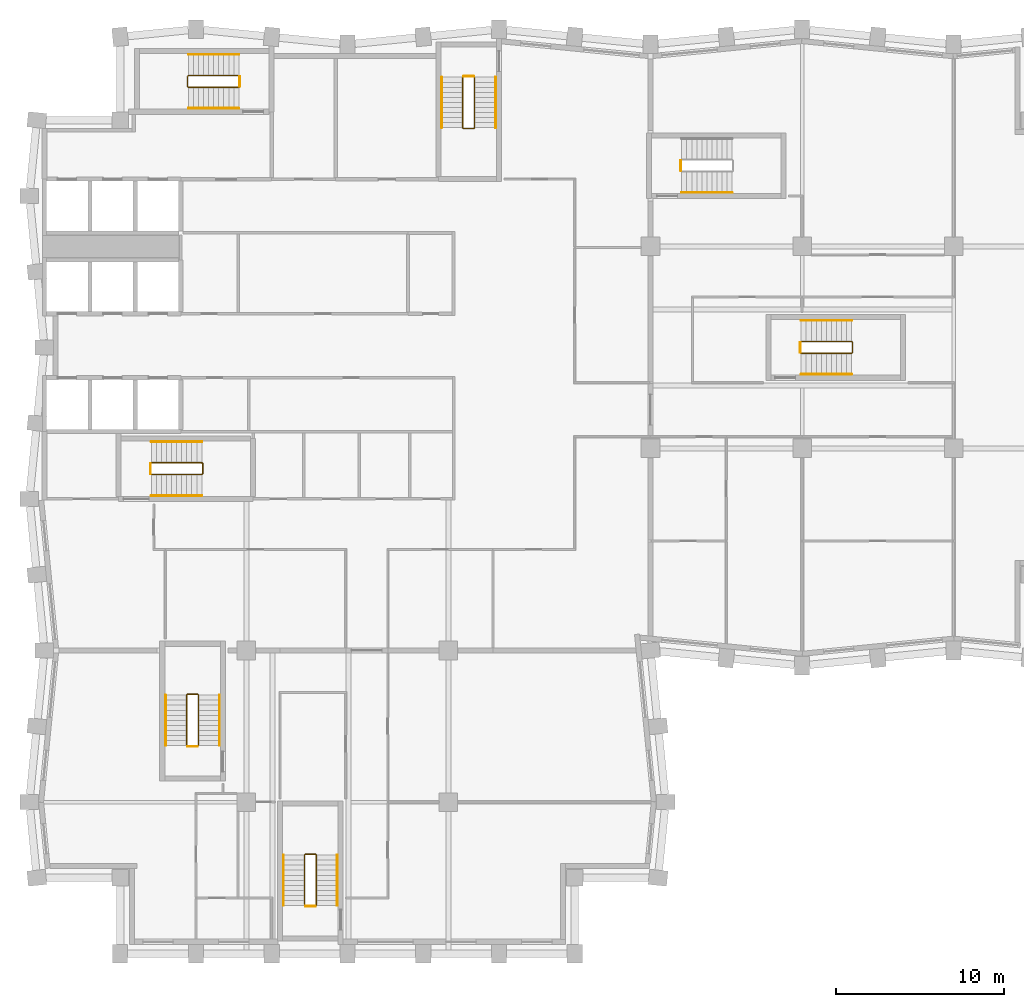
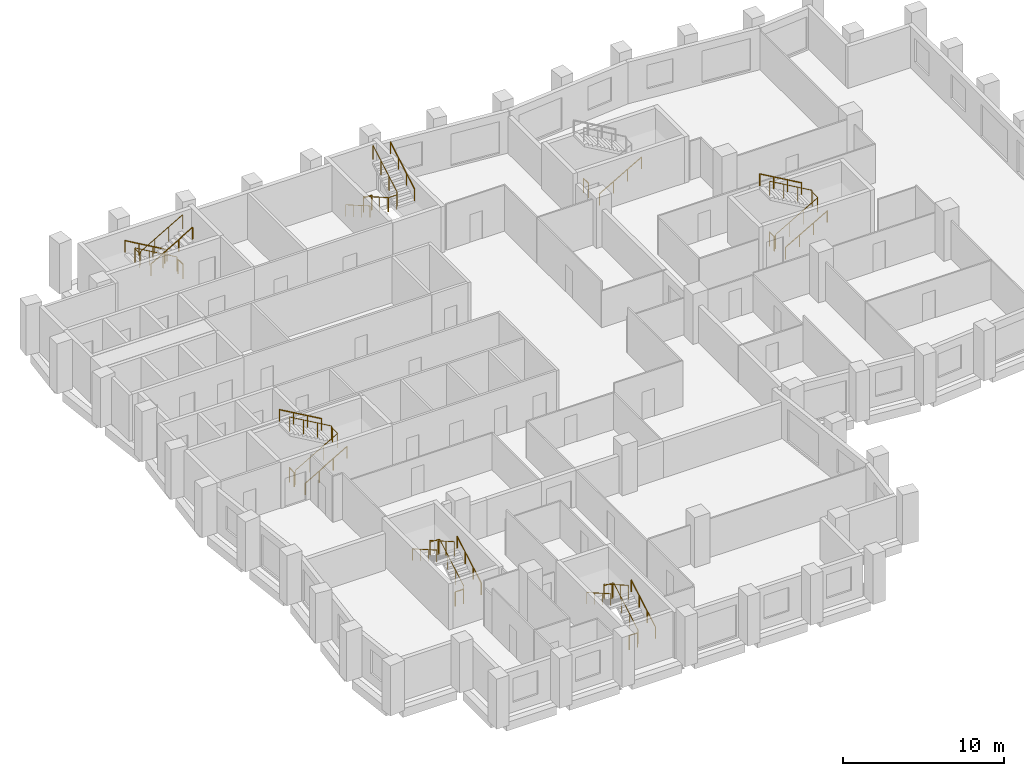
# One storey, part 9 of 10: 26 railings.
"""IFC4 building model written with IfcOpenShell, lengths in metres."""

import ifcopenshell
import ifcopenshell.guid

model = None  # the IFC model being written
_history = None  # IfcOwnerHistory: only IFC2X3 demands one
_inside = {}  # id of a spatial element -> (the spatial element, [elements in it])
_under = {}  # id of a project, library or spatial element -> (it, [spatial elements below it])
_declared = {}  # id of a project -> (the project, [libraries it declares])
_typed = {}  # id of a type object -> (the type object, [elements of that type])
_made_of = {}  # id of a material, layer set ... -> (it, [elements and type objects made of it])


def new_model(schema):
    """Start an empty IFC model of exactly this schema.

    Asked for "IFC4X3", IfcOpenShell would pick the latest addendum, in which some entities
    have other attributes; the version numbers below select the first issue.
    IFC2X3 requires an IfcOwnerHistory on every rooted entity: one is made here for all.
    """
    global model, _history
    if schema == "IFC4X3":
        model = ifcopenshell.file(schema_version=(4, 3, 0, 0))
    else:
        model = ifcopenshell.file(schema=schema)
    _inside.clear()
    _under.clear()
    _declared.clear()
    _typed.clear()
    _made_of.clear()
    _history = None
    if model.schema == "IFC2X3":
        org = make("IfcOrganization", Name="unknown")
        user = make(
            "IfcPersonAndOrganization",
            ThePerson=make("IfcPerson", FamilyName="unknown"),
            TheOrganization=org,
        )
        app = make(
            "IfcApplication",
            ApplicationDeveloper=org,
            Version="unknown",
            ApplicationFullName="unknown",
            ApplicationIdentifier="unknown",
        )
        _history = make(
            "IfcOwnerHistory",
            OwningUser=user,
            OwningApplication=app,
            ChangeAction="ADDED",
            CreationDate=0,
        )
    return model


def make(cls, **values):
    """One entity of the class cls with the attributes given. An attribute that is None is left unset."""
    return model.create_entity(
        cls, **{name: value for name, value in values.items() if value is not None}
    )


def rooted(cls, **values):
    """An entity with a GlobalId (a new one), such as an element, a storey or a relation."""
    return make(cls, GlobalId=ifcopenshell.guid.new(), OwnerHistory=_history, **values)


def si_unit(unit_type, name, prefix=None):
    """IfcSIUnit, for example si_unit("LENGTHUNIT", "METRE", prefix="MILLI")."""
    return make("IfcSIUnit", UnitType=unit_type, Prefix=prefix, Name=name)


def assignment(units):
    """IfcUnitAssignment: the units of a project."""
    return None if units is None else make("IfcUnitAssignment", Units=units)


def point(xyz):
    """IfcCartesianPoint."""
    return None if xyz is None else make("IfcCartesianPoint", Coordinates=xyz)


def direction(xyz):
    """IfcDirection."""
    return None if xyz is None else make("IfcDirection", DirectionRatios=xyz)


def frame(location, z_axis=None, x_axis=None):
    """IfcAxis2Placement3D, a coordinate frame: its origin and axes. An axis left out is left unset."""
    return make(
        "IfcAxis2Placement3D",
        Location=point(location),
        Axis=direction(z_axis),
        RefDirection=direction(x_axis),
    )


def frame_2d(location, x_axis=None):
    """IfcAxis2Placement2D, a coordinate frame in the plane: its origin and x axis."""
    return make(
        "IfcAxis2Placement2D", Location=point(location), RefDirection=direction(x_axis)
    )


def origin():
    """The frame at (0, 0, 0) with its axes left unset."""
    return frame((0.0, 0.0, 0.0))


def origin_2d():
    """The frame at (0, 0) in the plane with its x axis left unset."""
    return frame_2d((0.0, 0.0))


def place(relative_to, where):
    """IfcLocalPlacement: puts the frame where relative to a parent placement (None: the world)."""
    return make(
        "IfcLocalPlacement", PlacementRelTo=relative_to, RelativePlacement=where
    )


def context(
    kind, dimensions, precision=None, world=None, true_north=None, identifier=None
):
    """IfcGeometricRepresentationContext, for example the 3D "Model" context."""
    return make(
        "IfcGeometricRepresentationContext",
        ContextIdentifier=identifier,
        ContextType=kind,
        CoordinateSpaceDimension=dimensions,
        Precision=precision,
        WorldCoordinateSystem=world,
        TrueNorth=true_north,
    )


def subcontext(parent, identifier, kind, view, scale=None):
    """IfcGeometricRepresentationSubContext, for example "Body" below "Model"."""
    return make(
        "IfcGeometricRepresentationSubContext",
        ContextIdentifier=identifier,
        ContextType=kind,
        ParentContext=parent,
        TargetScale=scale,
        TargetView=view,
    )


def project(units=None, contexts=None):
    """IfcProject with its units and contexts."""
    return rooted(
        "IfcProject",
        Name="project",
        RepresentationContexts=contexts,
        UnitsInContext=assignment(units),
    )


def spatial(cls, under=None, at=None, **own):
    """A site, building, storey or space (cls), placed at a placement, below another one or the project."""
    s = rooted(cls, ObjectPlacement=at, **own)
    if under is not None:
        _under.setdefault(under.id(), (under, []))[1].append(s)
    return s


def profile(cls, at=None, kind="AREA", **sizes):
    """A parametric profile (cls). Its sizes go by their IFC names, for example OverallWidth=200.0."""
    return make(cls, ProfileType=kind, Position=at, **sizes)


def circle(**sizes):
    """IfcCircleProfileDef."""
    return profile("IfcCircleProfileDef", **sizes)


def extrude(swept, where, along, depth):
    """IfcExtrudedAreaSolid: the profile swept, set in the frame where, extruded along a direction by depth."""
    return make(
        "IfcExtrudedAreaSolid",
        SweptArea=swept,
        Position=where,
        ExtrudedDirection=direction(along),
        Depth=depth,
    )


def shape(context_of_items, identifier, shape_type, items):
    """IfcShapeRepresentation: the items that make up one representation, for example the "Body"."""
    return make(
        "IfcShapeRepresentation",
        ContextOfItems=context_of_items,
        RepresentationIdentifier=identifier,
        RepresentationType=shape_type,
        Items=items,
    )


def material(Name=None, Category=None):
    """IfcMaterial."""
    return make("IfcMaterial", Name=Name, Category=Category)


def made_of(thing, what):
    """Note that an element or type object is made of a material, layer set ...; save() writes the relation."""
    if what is not None:
        _made_of.setdefault(what.id(), (what, []))[1].append(thing)
    return thing


def type_object(cls, material=None, **own):
    """A type object (cls), such as IfcWallType, which elements share."""
    return made_of(rooted(cls, **own), material)


def element(
    cls,
    number,
    at=None,
    inside=None,
    cuts=None,
    type_object=None,
    material=None,
    context=None,
    identifier="Body",
    shape_type=None,
    held_by="IfcProductDefinitionShape",
    body=None,
    shapes=None,
    **own,
):
    """One element of the class cls, such as IfcWall. Its Tag is "e" and its number.

    at: its placement. inside: the storey or other place that contains it. cuts: it is an
    opening in that element (IfcRelVoidsElement). A single representation is given by context,
    identifier, shape_type and body (its items); several are given by shapes. held_by: the class
    of the entity that holds the representations. save() writes the other relations.
    """
    e = rooted(cls, Tag="e%d" % number, ObjectPlacement=at, **own)
    if body is not None:
        shapes = [shape(context, identifier, shape_type, body)]
    if shapes is not None:
        e.Representation = make(held_by, Representations=shapes)
    if inside is not None:
        _inside.setdefault(inside.id(), (inside, []))[1].append(e)
    if cuts is not None:
        rooted(
            "IfcRelVoidsElement", RelatingBuildingElement=cuts, RelatedOpeningElement=e
        )
    if type_object is not None:
        _typed.setdefault(type_object.id(), (type_object, []))[1].append(e)
    return made_of(e, material)


def aggregate(whole, parts):
    """IfcRelAggregates: a whole, such as a stair, and the parts it consists of."""
    return rooted("IfcRelAggregates", RelatingObject=whole, RelatedObjects=parts)


def save(model, path):
    """Write the relations noted so far, then the file.

    IfcRelAggregates (storeys below a building ...), IfcRelContainedInSpatialStructure (elements
    in a storey), IfcRelDefinesByType, IfcRelAssociatesMaterial and IfcRelDeclares: one each for
    every whole, place, type object, material and project.
    """
    for whole, parts in _under.values():
        aggregate(whole, parts)
    for where, things in _inside.values():
        rooted(
            "IfcRelContainedInSpatialStructure",
            RelatedElements=things,
            RelatingStructure=where,
        )
    for kind, things in _typed.values():
        rooted("IfcRelDefinesByType", RelatedObjects=things, RelatingType=kind)
    for what, things in _made_of.values():
        rooted("IfcRelAssociatesMaterial", RelatedObjects=things, RelatingMaterial=what)
    for by, libraries in _declared.values():
        rooted("IfcRelDeclares", RelatingContext=by, RelatedDefinitions=libraries)
    model.write(path)


model = new_model("IFC4")

# Units and contexts
model_context = context("Model", 3, precision=1e-05, world=origin(), true_north=direction((0.0, 1.0)))
body_context = subcontext(model_context, "Body", "Model", "MODEL_VIEW")
ifc_project = project(units=[si_unit("LENGTHUNIT", "METRE"), si_unit("AREAUNIT", "SQUARE_METRE"), si_unit("VOLUMEUNIT", "CUBIC_METRE"), si_unit("PLANEANGLEUNIT", "RADIAN"), si_unit("MASSUNIT", "GRAM", prefix="KILO")], contexts=[model_context])

# Site, building, storey
site_placement = place(None, origin())
site = spatial("IfcSite", under=ifc_project, at=site_placement, CompositionType="ELEMENT")
building_placement = place(site_placement, origin())
building = spatial("IfcBuilding", under=site, at=building_placement, Name="Brondeck Convention Tower", CompositionType="ELEMENT")
storey_placement = place(building_placement, frame((0.0, 0.0, 166.199951171875)))
storey = spatial("IfcBuildingStorey", under=building, at=storey_placement, Name="L40", CompositionType="ELEMENT", Elevation=166.199951171875)

# Railings
ifc_material = material(Name="Steel S355", Category="steel")
railing_type_1 = type_object("IfcRailingType", Name="Stair guard 1100", PredefinedType="GUARDRAIL", material=ifc_material)
railing_1_placement = place(storey_placement, frame((6.35009765625, 37.449951171875, 0.1728515625)))
element("IfcRailing", 1, at=railing_1_placement, inside=storey, type_object=railing_type_1, Name="L40 ST-1 stair guard 1", PredefinedType="GUARDRAIL", context=body_context, shape_type="SweptSolid", body=[
    extrude(circle(Radius=0.02392578125, at=origin_2d()), frame((0.0, 0.0, 1.076171875), z_axis=(0.866619684472, 0.0, 0.498969260062), x_axis=(0.0, 1.0, 0.0)), (0.0, 0.0, 1.0), 3.461669921875),
    extrude(circle(Radius=0.02392578125, at=origin_2d()), frame((3.0, 0.0, 2.80322265625), z_axis=(0.705375805398, 0.708833529934, 0.0), x_axis=(-0.708833529934, 0.705375805398, 0.0)), (0.0, 0.0, 1.0), 0.070556640625),
    extrude(circle(Radius=0.02392578125, at=origin_2d()), frame((3.0498046875, 0.050048828125, 2.80322265625), z_axis=(0.0, 1.0, 0.0), x_axis=(-1.0, 0.0, 0.0)), (0.0, 0.0, 1.0), 0.60009765625),
    extrude(circle(Radius=0.02392578125, at=origin_2d()), frame((3.0498046875, 0.650146484375, 2.80322265625), z_axis=(-0.26715648603, 0.26715648603, 0.925880566782), x_axis=(-0.707106781187, -0.707106781187, 0.0)), (0.0, 0.0, 1.0), 0.1865234375),
    extrude(circle(Radius=0.02392578125, at=origin_2d()), frame((3.0, 0.699951171875, 2.97607421875), z_axis=(-0.866619684472, 0.0, 0.498969260062), x_axis=(0.0, -1.0, 0.0)), (0.0, 0.0, 1.0), 3.461669921875),
    extrude(circle(Radius=0.02099609375, at=origin_2d()), origin(), (0.0, 0.0, 1.0), 1.052001953125),
    extrude(circle(Radius=0.02099609375, at=origin_2d()), frame((1.0, 0.0, 0.57568359375)), (0.0, 0.0, 1.0), 1.052001953125),
    extrude(circle(Radius=0.02099609375, at=origin_2d()), frame((2.0, 0.0, 1.151611328125)), (0.0, 0.0, 1.0), 1.052001953125),
    extrude(circle(Radius=0.02099609375, at=origin_2d()), frame((3.0, 0.0, 1.727294921875)), (0.0, 0.0, 1.0), 1.052001953125),
    extrude(circle(Radius=0.02099609375, at=origin_2d()), frame((3.0498046875, 0.050048828125, 1.727294921875)), (0.0, 0.0, 1.0), 1.052001953125),
    extrude(circle(Radius=0.02099609375, at=origin_2d()), frame((3.0498046875, 0.650146484375, 1.727294921875)), (0.0, 0.0, 1.0), 1.052001953125),
    extrude(circle(Radius=0.02099609375, at=origin_2d()), frame((3.0, 0.699951171875, 1.89990234375)), (0.0, 0.0, 1.0), 1.052001953125),
    extrude(circle(Radius=0.02099609375, at=origin_2d()), frame((2.0, 0.699951171875, 2.4755859375)), (0.0, 0.0, 1.0), 1.052001953125),
    extrude(circle(Radius=0.02099609375, at=origin_2d()), frame((1.0, 0.699951171875, 3.051513671875)), (0.0, 0.0, 1.0), 1.052001953125),
    extrude(circle(Radius=0.02099609375, at=origin_2d()), frame((0.0, 0.699951171875, 3.627197265625)), (0.0, 0.0, 1.0), 1.052001953125),
])
railing_2_placement = place(storey_placement, frame((6.300048828125, 37.5, 0.0)))
element("IfcRailing", 2, at=railing_2_placement, inside=storey, type_object=railing_type_1, Name="L40 ST-1 stair guard 2", PredefinedType="GUARDRAIL", context=body_context, shape_type="SweptSolid", body=[
    extrude(circle(Radius=0.02392578125, at=origin_2d()), frame((0.0, 0.0, 1.076171875), z_axis=(0.0, 1.0, 0.0), x_axis=(-1.0, 0.0, 0.0)), (0.0, 0.0, 1.0), 0.60009765625),
    extrude(circle(Radius=0.02099609375, at=origin_2d()), origin(), (0.0, 0.0, 1.0), 1.052001953125),
    extrude(circle(Radius=0.02099609375, at=origin_2d()), frame((0.0, 0.60009765625, 0.0)), (0.0, 0.0, 1.0), 1.052001953125),
])
railing_3_placement = place(storey_placement, frame((24.85009765625, 61.050048828125, 0.1728515625)))
element("IfcRailing", 3, at=railing_3_placement, inside=storey, type_object=railing_type_1, Name="L40 ST-2 stair guard 1", PredefinedType="GUARDRAIL", context=body_context, shape_type="SweptSolid", body=[
    extrude(circle(Radius=0.02392578125, at=origin_2d()), frame((0.0, 0.0, 1.076171875), z_axis=(0.0, -0.866619684472, 0.498969260062), x_axis=(1.0, 0.0, 0.0)), (0.0, 0.0, 1.0), 3.461669921875),
    extrude(circle(Radius=0.02392578125, at=origin_2d()), frame((0.0, -3.0, 2.80322265625), z_axis=(0.705375805398, -0.708833529934, 0.0), x_axis=(0.708833529934, 0.705375805398, 0.0)), (0.0, 0.0, 1.0), 0.070556640625),
    extrude(circle(Radius=0.02392578125, at=origin_2d()), frame((0.0498046875, -3.050048828125, 2.80322265625), z_axis=(1.0, 0.0, 0.0), x_axis=(0.0, 1.0, 0.0)), (0.0, 0.0, 1.0), 0.60009765625),
    extrude(circle(Radius=0.02392578125, at=origin_2d()), frame((0.64990234375, -3.050048828125, 2.80322265625), z_axis=(0.268277960024, 0.268277960024, 0.925231793839), x_axis=(-0.707106781187, 0.707106781187, 0.0)), (0.0, 0.0, 1.0), 0.1865234375),
    extrude(circle(Radius=0.02392578125, at=origin_2d()), frame((0.699951171875, -3.0, 2.97607421875), z_axis=(0.0, 0.866619684472, 0.498969260062), x_axis=(-1.0, 0.0, 0.0)), (0.0, 0.0, 1.0), 3.461669921875),
    extrude(circle(Radius=0.02099609375, at=origin_2d()), origin(), (0.0, 0.0, 1.0), 1.052001953125),
    extrude(circle(Radius=0.02099609375, at=origin_2d()), frame((0.0, -1.0, 0.57568359375)), (0.0, 0.0, 1.0), 1.052001953125),
    extrude(circle(Radius=0.02099609375, at=origin_2d()), frame((0.0, -2.0, 1.151611328125)), (0.0, 0.0, 1.0), 1.052001953125),
    extrude(circle(Radius=0.02099609375, at=origin_2d()), frame((0.0, -3.0, 1.727294921875)), (0.0, 0.0, 1.0), 1.052001953125),
    extrude(circle(Radius=0.02099609375, at=origin_2d()), frame((0.0498046875, -3.050048828125, 1.727294921875)), (0.0, 0.0, 1.0), 1.052001953125),
    extrude(circle(Radius=0.02099609375, at=origin_2d()), frame((0.64990234375, -3.050048828125, 1.727294921875)), (0.0, 0.0, 1.0), 1.052001953125),
    extrude(circle(Radius=0.02099609375, at=origin_2d()), frame((0.699951171875, -3.0, 1.89990234375)), (0.0, 0.0, 1.0), 1.052001953125),
    extrude(circle(Radius=0.02099609375, at=origin_2d()), frame((0.699951171875, -2.0, 2.4755859375)), (0.0, 0.0, 1.0), 1.052001953125),
    extrude(circle(Radius=0.02099609375, at=origin_2d()), frame((0.699951171875, -1.0, 3.051513671875)), (0.0, 0.0, 1.0), 1.052001953125),
    extrude(circle(Radius=0.02099609375, at=origin_2d()), frame((0.699951171875, 0.0, 3.627197265625)), (0.0, 0.0, 1.0), 1.052001953125),
])
railing_4_placement = place(storey_placement, frame((24.89990234375, 61.10009765625, 0.0)))
element("IfcRailing", 4, at=railing_4_placement, inside=storey, type_object=railing_type_1, Name="L40 ST-2 stair guard 2", PredefinedType="GUARDRAIL", context=body_context, shape_type="SweptSolid", body=[
    extrude(circle(Radius=0.02392578125, at=origin_2d()), frame((0.0, 0.0, 1.076171875), z_axis=(1.0, 0.0, 0.0), x_axis=(0.0, 1.0, 0.0)), (0.0, 0.0, 1.0), 0.60009765625),
    extrude(circle(Radius=0.02099609375, at=origin_2d()), origin(), (0.0, 0.0, 1.0), 1.052001953125),
    extrude(circle(Radius=0.02099609375, at=origin_2d()), frame((0.60009765625, 0.0, 0.0)), (0.0, 0.0, 1.0), 1.052001953125),
])
railing_5_placement = place(storey_placement, frame((11.550048828125, 61.14990234375, 0.1728515625)))
element("IfcRailing", 5, at=railing_5_placement, inside=storey, type_object=railing_type_1, Name="L40 ST-3 stair guard 1", PredefinedType="GUARDRAIL", context=body_context, shape_type="SweptSolid", body=[
    extrude(circle(Radius=0.02392578125, at=origin_2d()), frame((0.0, 0.0, 1.076171875), z_axis=(-0.866619684472, 0.0, 0.498969260062), x_axis=(0.0, -1.0, 0.0)), (0.0, 0.0, 1.0), 3.461669921875),
    extrude(circle(Radius=0.02392578125, at=origin_2d()), frame((-3.0, 0.0, 2.80322265625), z_axis=(-0.708833529934, -0.705375805398, 0.0), x_axis=(0.705375805398, -0.708833529934, 0.0)), (0.0, 0.0, 1.0), 0.070556640625),
    extrude(circle(Radius=0.02392578125, at=origin_2d()), frame((-3.050048828125, -0.0498046875, 2.80322265625), z_axis=(0.0, -1.0, 0.0), x_axis=(1.0, 0.0, 0.0)), (0.0, 0.0, 1.0), 0.60009765625),
    extrude(circle(Radius=0.02392578125, at=origin_2d()), frame((-3.050048828125, -0.64990234375, 2.80322265625), z_axis=(0.268277960024, -0.268277960024, 0.925231793839), x_axis=(0.707106781187, 0.707106781187, 0.0)), (0.0, 0.0, 1.0), 0.1865234375),
    extrude(circle(Radius=0.02392578125, at=origin_2d()), frame((-3.0, -0.699951171875, 2.97607421875), z_axis=(0.866619684472, 0.0, 0.498969260062), x_axis=(0.0, 1.0, 0.0)), (0.0, 0.0, 1.0), 3.461669921875),
    extrude(circle(Radius=0.02099609375, at=origin_2d()), origin(), (0.0, 0.0, 1.0), 1.052001953125),
    extrude(circle(Radius=0.02099609375, at=origin_2d()), frame((-1.0, 0.0, 0.57568359375)), (0.0, 0.0, 1.0), 1.052001953125),
    extrude(circle(Radius=0.02099609375, at=origin_2d()), frame((-2.0, 0.0, 1.151611328125)), (0.0, 0.0, 1.0), 1.052001953125),
    extrude(circle(Radius=0.02099609375, at=origin_2d()), frame((-3.0, 0.0, 1.727294921875)), (0.0, 0.0, 1.0), 1.052001953125),
    extrude(circle(Radius=0.02099609375, at=origin_2d()), frame((-3.050048828125, -0.0498046875, 1.727294921875)), (0.0, 0.0, 1.0), 1.052001953125),
    extrude(circle(Radius=0.02099609375, at=origin_2d()), frame((-3.050048828125, -0.64990234375, 1.727294921875)), (0.0, 0.0, 1.0), 1.052001953125),
    extrude(circle(Radius=0.02099609375, at=origin_2d()), frame((-3.0, -0.699951171875, 1.89990234375)), (0.0, 0.0, 1.0), 1.052001953125),
    extrude(circle(Radius=0.02099609375, at=origin_2d()), frame((-2.0, -0.699951171875, 2.4755859375)), (0.0, 0.0, 1.0), 1.052001953125),
    extrude(circle(Radius=0.02099609375, at=origin_2d()), frame((-1.0, -0.699951171875, 3.051513671875)), (0.0, 0.0, 1.0), 1.052001953125),
    extrude(circle(Radius=0.02099609375, at=origin_2d()), frame((0.0, -0.699951171875, 3.627197265625)), (0.0, 0.0, 1.0), 1.052001953125),
])
railing_6_placement = place(storey_placement, frame((11.60009765625, 61.10009765625, 0.0)))
element("IfcRailing", 6, at=railing_6_placement, inside=storey, type_object=railing_type_1, Name="L40 ST-3 stair guard 2", PredefinedType="GUARDRAIL", context=body_context, shape_type="SweptSolid", body=[
    extrude(circle(Radius=0.02392578125, at=origin_2d()), frame((0.0, 0.0, 1.076171875), z_axis=(0.0, -1.0, 0.0), x_axis=(1.0, 0.0, 0.0)), (0.0, 0.0, 1.0), 0.60009765625),
    extrude(circle(Radius=0.02099609375, at=origin_2d()), origin(), (0.0, 0.0, 1.0), 1.052001953125),
    extrude(circle(Radius=0.02099609375, at=origin_2d()), frame((0.0, -0.60009765625, 0.0)), (0.0, 0.0, 1.0), 1.052001953125),
])
railing_7_placement = place(storey_placement, frame((37.800048828125, 55.5, 0.0)))
element("IfcRailing", 7, at=railing_7_placement, inside=storey, type_object=railing_type_1, Name="L40 ST-AE stair guard 2", PredefinedType="GUARDRAIL", context=body_context, shape_type="SweptSolid", body=[
    extrude(circle(Radius=0.02392578125, at=origin_2d()), frame((0.0, 0.0, 1.076171875), z_axis=(0.0, 1.0, 0.0), x_axis=(-1.0, 0.0, 0.0)), (0.0, 0.0, 1.0), 0.60009765625),
    extrude(circle(Radius=0.02099609375, at=origin_2d()), origin(), (0.0, 0.0, 1.0), 1.052001953125),
    extrude(circle(Radius=0.02099609375, at=origin_2d()), frame((0.0, 0.60009765625, 0.0)), (0.0, 0.0, 1.0), 1.052001953125),
])
railing_8_placement = place(storey_placement, frame((9.14990234375, 21.35009765625, 0.1728515625)))
element("IfcRailing", 8, at=railing_8_placement, inside=storey, type_object=railing_type_1, Name="L40 ST-BE stair guard 1", PredefinedType="GUARDRAIL", context=body_context, shape_type="SweptSolid", body=[
    extrude(circle(Radius=0.02392578125, at=origin_2d()), frame((0.0, 0.0, 1.076171875), z_axis=(0.0, 0.866619684472, 0.498969260062), x_axis=(-1.0, 0.0, 0.0)), (0.0, 0.0, 1.0), 3.461669921875),
    extrude(circle(Radius=0.02392578125, at=origin_2d()), frame((0.0, 3.0, 2.80322265625), z_axis=(-0.707106781187, 0.707106781187, 0.0), x_axis=(-0.707106781187, -0.707106781187, 0.0)), (0.0, 0.0, 1.0), 0.0703125),
    extrude(circle(Radius=0.02392578125, at=origin_2d()), frame((-0.0498046875, 3.0498046875, 2.80322265625), z_axis=(-1.0, 0.0, 0.0), x_axis=(0.0, -1.0, 0.0)), (0.0, 0.0, 1.0), 0.60009765625),
    extrude(circle(Radius=0.02392578125, at=origin_2d()), frame((-0.64990234375, 3.0498046875, 2.80322265625), z_axis=(-0.268371968888, -0.267062837333, 0.925556009775), x_axis=(0.705375805398, -0.708833529934, 0.0)), (0.0, 0.0, 1.0), 0.1865234375),
    extrude(circle(Radius=0.02392578125, at=origin_2d()), frame((-0.699951171875, 3.0, 2.97607421875), z_axis=(0.0, -0.866619684472, 0.498969260062), x_axis=(1.0, 0.0, 0.0)), (0.0, 0.0, 1.0), 3.461669921875),
    extrude(circle(Radius=0.02099609375, at=origin_2d()), origin(), (0.0, 0.0, 1.0), 1.052001953125),
    extrude(circle(Radius=0.02099609375, at=origin_2d()), frame((0.0, 1.0, 0.57568359375)), (0.0, 0.0, 1.0), 1.052001953125),
    extrude(circle(Radius=0.02099609375, at=origin_2d()), frame((0.0, 2.0, 1.151611328125)), (0.0, 0.0, 1.0), 1.052001953125),
    extrude(circle(Radius=0.02099609375, at=origin_2d()), frame((0.0, 3.0, 1.727294921875)), (0.0, 0.0, 1.0), 1.052001953125),
    extrude(circle(Radius=0.02099609375, at=origin_2d()), frame((-0.0498046875, 3.0498046875, 1.727294921875)), (0.0, 0.0, 1.0), 1.052001953125),
    extrude(circle(Radius=0.02099609375, at=origin_2d()), frame((-0.64990234375, 3.0498046875, 1.727294921875)), (0.0, 0.0, 1.0), 1.052001953125),
    extrude(circle(Radius=0.02099609375, at=origin_2d()), frame((-0.699951171875, 3.0, 1.89990234375)), (0.0, 0.0, 1.0), 1.052001953125),
    extrude(circle(Radius=0.02099609375, at=origin_2d()), frame((-0.699951171875, 2.0, 2.4755859375)), (0.0, 0.0, 1.0), 1.052001953125),
    extrude(circle(Radius=0.02099609375, at=origin_2d()), frame((-0.699951171875, 1.0, 3.051513671875)), (0.0, 0.0, 1.0), 1.052001953125),
    extrude(circle(Radius=0.02099609375, at=origin_2d()), frame((-0.699951171875, 0.0, 3.627197265625)), (0.0, 0.0, 1.0), 1.052001953125),
])
railing_9_placement = place(storey_placement, frame((9.10009765625, 21.300048828125, 0.0)))
element("IfcRailing", 9, at=railing_9_placement, inside=storey, type_object=railing_type_1, Name="L40 ST-BE stair guard 2", PredefinedType="GUARDRAIL", context=body_context, shape_type="SweptSolid", body=[
    extrude(circle(Radius=0.02392578125, at=origin_2d()), frame((0.0, 0.0, 1.076171875), z_axis=(-1.0, 0.0, 0.0), x_axis=(0.0, -1.0, 0.0)), (0.0, 0.0, 1.0), 0.60009765625),
    extrude(circle(Radius=0.02099609375, at=origin_2d()), origin(), (0.0, 0.0, 1.0), 1.052001953125),
    extrude(circle(Radius=0.02099609375, at=origin_2d()), frame((-0.60009765625, 0.0, 0.0)), (0.0, 0.0, 1.0), 1.052001953125),
])
railing_10_placement = place(storey_placement, frame((44.949951171875, 44.64990234375, 0.1728515625)))
element("IfcRailing", 10, at=railing_10_placement, inside=storey, type_object=railing_type_1, Name="L40 ST-AF stair guard 1", PredefinedType="GUARDRAIL", context=body_context, shape_type="SweptSolid", body=[
    extrude(circle(Radius=0.02392578125, at=origin_2d()), frame((0.0, 0.0, 1.076171875), z_axis=(0.866619684472, 0.0, 0.498969260062), x_axis=(0.0, 1.0, 0.0)), (0.0, 0.0, 1.0), 3.461669921875),
    extrude(circle(Radius=0.02392578125, at=origin_2d()), frame((3.0, 0.0, 2.80322265625), z_axis=(0.707106781187, 0.707106781187, 0.0), x_axis=(-0.707106781187, 0.707106781187, 0.0)), (0.0, 0.0, 1.0), 0.07080078125),
    extrude(circle(Radius=0.02392578125, at=origin_2d()), frame((3.050048828125, 0.050048828125, 2.80322265625), z_axis=(0.0, 1.0, 0.0), x_axis=(-1.0, 0.0, 0.0)), (0.0, 0.0, 1.0), 0.60009765625),
    extrude(circle(Radius=0.02392578125, at=origin_2d()), frame((3.050048828125, 0.650146484375, 2.80322265625), z_axis=(-0.268277960024, 0.268277960024, 0.925231793839), x_axis=(-0.707106781187, -0.707106781187, 0.0)), (0.0, 0.0, 1.0), 0.1865234375),
    extrude(circle(Radius=0.02392578125, at=origin_2d()), frame((3.0, 0.7001953125, 2.97607421875), z_axis=(-0.866619684472, 0.0, 0.498969260062), x_axis=(0.0, -1.0, 0.0)), (0.0, 0.0, 1.0), 3.461669921875),
    extrude(circle(Radius=0.02099609375, at=origin_2d()), origin(), (0.0, 0.0, 1.0), 1.052001953125),
    extrude(circle(Radius=0.02099609375, at=origin_2d()), frame((1.0, 0.0, 0.57568359375)), (0.0, 0.0, 1.0), 1.052001953125),
    extrude(circle(Radius=0.02099609375, at=origin_2d()), frame((2.0, 0.0, 1.151611328125)), (0.0, 0.0, 1.0), 1.052001953125),
    extrude(circle(Radius=0.02099609375, at=origin_2d()), frame((3.0, 0.0, 1.727294921875)), (0.0, 0.0, 1.0), 1.052001953125),
    extrude(circle(Radius=0.02099609375, at=origin_2d()), frame((3.050048828125, 0.050048828125, 1.727294921875)), (0.0, 0.0, 1.0), 1.052001953125),
    extrude(circle(Radius=0.02099609375, at=origin_2d()), frame((3.050048828125, 0.650146484375, 1.727294921875)), (0.0, 0.0, 1.0), 1.052001953125),
    extrude(circle(Radius=0.02099609375, at=origin_2d()), frame((3.0, 0.7001953125, 1.89990234375)), (0.0, 0.0, 1.0), 1.052001953125),
    extrude(circle(Radius=0.02099609375, at=origin_2d()), frame((2.0, 0.7001953125, 2.4755859375)), (0.0, 0.0, 1.0), 1.052001953125),
    extrude(circle(Radius=0.02099609375, at=origin_2d()), frame((1.0, 0.7001953125, 3.051513671875)), (0.0, 0.0, 1.0), 1.052001953125),
    extrude(circle(Radius=0.02099609375, at=origin_2d()), frame((0.0, 0.7001953125, 3.627197265625)), (0.0, 0.0, 1.0), 1.052001953125),
])
railing_11_placement = place(storey_placement, frame((44.89990234375, 44.699951171875, 0.0)))
element("IfcRailing", 11, at=railing_11_placement, inside=storey, type_object=railing_type_1, Name="L40 ST-AF stair guard 2", PredefinedType="GUARDRAIL", context=body_context, shape_type="SweptSolid", body=[
    extrude(circle(Radius=0.02392578125, at=origin_2d()), frame((0.0, 0.0, 1.076171875), z_axis=(0.0, 1.0, 0.0), x_axis=(-1.0, 0.0, 0.0)), (0.0, 0.0, 1.0), 0.60009765625),
    extrude(circle(Radius=0.02099609375, at=origin_2d()), origin(), (0.0, 0.0, 1.0), 1.052001953125),
    extrude(circle(Radius=0.02099609375, at=origin_2d()), frame((0.0, 0.60009765625, 0.0)), (0.0, 0.0, 1.0), 1.052001953125),
])
railing_12_placement = place(storey_placement, frame((16.14990234375, 11.85009765625, 0.1728515625)))
element("IfcRailing", 12, at=railing_12_placement, inside=storey, type_object=railing_type_1, Name="L40 ST-BF stair guard 1", PredefinedType="GUARDRAIL", context=body_context, shape_type="SweptSolid", body=[
    extrude(circle(Radius=0.02392578125, at=origin_2d()), frame((0.0, 0.0, 1.076171875), z_axis=(0.0, 0.866619684472, 0.498969260062), x_axis=(-1.0, 0.0, 0.0)), (0.0, 0.0, 1.0), 3.461669921875),
    extrude(circle(Radius=0.02392578125, at=origin_2d()), frame((0.0, 3.0, 2.80322265625), z_axis=(-0.707106781187, 0.707106781187, 0.0), x_axis=(-0.707106781187, -0.707106781187, 0.0)), (0.0, 0.0, 1.0), 0.0703125),
    extrude(circle(Radius=0.02392578125, at=origin_2d()), frame((-0.0498046875, 3.0498046875, 2.80322265625), z_axis=(-1.0, 0.0, 0.0), x_axis=(0.0, -1.0, 0.0)), (0.0, 0.0, 1.0), 0.60009765625),
    extrude(circle(Radius=0.02392578125, at=origin_2d()), frame((-0.64990234375, 3.0498046875, 2.80322265625), z_axis=(-0.268371968888, -0.267062837333, 0.925556009775), x_axis=(0.705375805398, -0.708833529934, 0.0)), (0.0, 0.0, 1.0), 0.1865234375),
    extrude(circle(Radius=0.02392578125, at=origin_2d()), frame((-0.699951171875, 3.0, 2.97607421875), z_axis=(0.0, -0.866619684472, 0.498969260062), x_axis=(1.0, 0.0, 0.0)), (0.0, 0.0, 1.0), 3.461669921875),
    extrude(circle(Radius=0.02099609375, at=origin_2d()), origin(), (0.0, 0.0, 1.0), 1.052001953125),
    extrude(circle(Radius=0.02099609375, at=origin_2d()), frame((0.0, 1.0, 0.57568359375)), (0.0, 0.0, 1.0), 1.052001953125),
    extrude(circle(Radius=0.02099609375, at=origin_2d()), frame((0.0, 2.0, 1.151611328125)), (0.0, 0.0, 1.0), 1.052001953125),
    extrude(circle(Radius=0.02099609375, at=origin_2d()), frame((0.0, 3.0, 1.727294921875)), (0.0, 0.0, 1.0), 1.052001953125),
    extrude(circle(Radius=0.02099609375, at=origin_2d()), frame((-0.0498046875, 3.0498046875, 1.727294921875)), (0.0, 0.0, 1.0), 1.052001953125),
    extrude(circle(Radius=0.02099609375, at=origin_2d()), frame((-0.64990234375, 3.0498046875, 1.727294921875)), (0.0, 0.0, 1.0), 1.052001953125),
    extrude(circle(Radius=0.02099609375, at=origin_2d()), frame((-0.699951171875, 3.0, 1.89990234375)), (0.0, 0.0, 1.0), 1.052001953125),
    extrude(circle(Radius=0.02099609375, at=origin_2d()), frame((-0.699951171875, 2.0, 2.4755859375)), (0.0, 0.0, 1.0), 1.052001953125),
    extrude(circle(Radius=0.02099609375, at=origin_2d()), frame((-0.699951171875, 1.0, 3.051513671875)), (0.0, 0.0, 1.0), 1.052001953125),
    extrude(circle(Radius=0.02099609375, at=origin_2d()), frame((-0.699951171875, 0.0, 3.627197265625)), (0.0, 0.0, 1.0), 1.052001953125),
])
railing_13_placement = place(storey_placement, frame((16.10009765625, 11.800048828125, 0.0)))
element("IfcRailing", 13, at=railing_13_placement, inside=storey, type_object=railing_type_1, Name="L40 ST-BF stair guard 2", PredefinedType="GUARDRAIL", context=body_context, shape_type="SweptSolid", body=[
    extrude(circle(Radius=0.02392578125, at=origin_2d()), frame((0.0, 0.0, 1.076171875), z_axis=(-1.0, 0.0, 0.0), x_axis=(0.0, -1.0, 0.0)), (0.0, 0.0, 1.0), 0.60009765625),
    extrude(circle(Radius=0.02099609375, at=origin_2d()), origin(), (0.0, 0.0, 1.0), 1.052001953125),
    extrude(circle(Radius=0.02099609375, at=origin_2d()), frame((-0.60009765625, 0.0, 0.0)), (0.0, 0.0, 1.0), 1.052001953125),
])
railing_type_2 = type_object("IfcRailingType", Name="Stair handrail", PredefinedType="HANDRAIL", material=ifc_material)
railing_14_placement = place(storey_placement, frame((6.35009765625, 36.199951171875, 0.1728515625)))
element("IfcRailing", 14, at=railing_14_placement, inside=storey, type_object=railing_type_2, Name="L40 ST-1 stair handrail 1", PredefinedType="HANDRAIL", context=body_context, shape_type="SweptSolid", body=[
    extrude(circle(Radius=0.02392578125, at=origin_2d()), frame((0.0, 0.0, 0.8759765625), z_axis=(0.866619684472, 0.0, 0.498969260062), x_axis=(0.0, 1.0, 0.0)), (0.0, 0.0, 1.0), 3.461669921875),
    extrude(circle(Radius=0.02099609375, at=origin_2d()), origin(), (0.0, 0.0, 1.0), 0.851806640625),
    extrude(circle(Radius=0.02099609375, at=origin_2d()), frame((1.0, 0.0, 0.57568359375)), (0.0, 0.0, 1.0), 0.851806640625),
    extrude(circle(Radius=0.02099609375, at=origin_2d()), frame((2.0, 0.0, 1.151611328125)), (0.0, 0.0, 1.0), 0.851806640625),
    extrude(circle(Radius=0.02099609375, at=origin_2d()), frame((3.0, 0.0, 1.727294921875)), (0.0, 0.0, 1.0), 0.851806640625),
])
railing_15_placement = place(storey_placement, frame((9.35009765625, 39.39990234375, 2.07275390625)))
element("IfcRailing", 15, at=railing_15_placement, inside=storey, type_object=railing_type_2, Name="L40 ST-1 stair handrail 2", PredefinedType="HANDRAIL", context=body_context, shape_type="SweptSolid", body=[
    extrude(circle(Radius=0.02392578125, at=origin_2d()), frame((0.0, 0.0, 0.8759765625), z_axis=(-0.866619684472, 0.0, 0.498969260062), x_axis=(0.0, -1.0, 0.0)), (0.0, 0.0, 1.0), 3.461669921875),
    extrude(circle(Radius=0.02099609375, at=origin_2d()), origin(), (0.0, 0.0, 1.0), 0.851806640625),
    extrude(circle(Radius=0.02099609375, at=origin_2d()), frame((-1.0, 0.0, 0.57568359375)), (0.0, 0.0, 1.0), 0.851806640625),
    extrude(circle(Radius=0.02099609375, at=origin_2d()), frame((-2.0, 0.0, 1.151611328125)), (0.0, 0.0, 1.0), 0.851806640625),
    extrude(circle(Radius=0.02099609375, at=origin_2d()), frame((-3.0, 0.0, 1.727294921875)), (0.0, 0.0, 1.0), 0.851806640625),
])
railing_16_placement = place(storey_placement, frame((23.60009765625, 61.050048828125, 0.1728515625)))
element("IfcRailing", 16, at=railing_16_placement, inside=storey, type_object=railing_type_2, Name="L40 ST-2 stair handrail 1", PredefinedType="HANDRAIL", context=body_context, shape_type="SweptSolid", body=[
    extrude(circle(Radius=0.02392578125, at=origin_2d()), frame((0.0, 0.0, 0.8759765625), z_axis=(0.0, -0.866619684472, 0.498969260062), x_axis=(1.0, 0.0, 0.0)), (0.0, 0.0, 1.0), 3.461669921875),
    extrude(circle(Radius=0.02099609375, at=origin_2d()), origin(), (0.0, 0.0, 1.0), 0.851806640625),
    extrude(circle(Radius=0.02099609375, at=origin_2d()), frame((0.0, -1.0, 0.57568359375)), (0.0, 0.0, 1.0), 0.851806640625),
    extrude(circle(Radius=0.02099609375, at=origin_2d()), frame((0.0, -2.0, 1.151611328125)), (0.0, 0.0, 1.0), 0.851806640625),
    extrude(circle(Radius=0.02099609375, at=origin_2d()), frame((0.0, -3.0, 1.727294921875)), (0.0, 0.0, 1.0), 0.851806640625),
])
railing_17_placement = place(storey_placement, frame((26.800048828125, 58.050048828125, 2.07275390625)))
element("IfcRailing", 17, at=railing_17_placement, inside=storey, type_object=railing_type_2, Name="L40 ST-2 stair handrail 2", PredefinedType="HANDRAIL", context=body_context, shape_type="SweptSolid", body=[
    extrude(circle(Radius=0.02392578125, at=origin_2d()), frame((0.0, 0.0, 0.8759765625), z_axis=(0.0, 0.866619684472, 0.498969260062), x_axis=(-1.0, 0.0, 0.0)), (0.0, 0.0, 1.0), 3.461669921875),
    extrude(circle(Radius=0.02099609375, at=origin_2d()), origin(), (0.0, 0.0, 1.0), 0.851806640625),
    extrude(circle(Radius=0.02099609375, at=origin_2d()), frame((0.0, 1.0, 0.57568359375)), (0.0, 0.0, 1.0), 0.851806640625),
    extrude(circle(Radius=0.02099609375, at=origin_2d()), frame((0.0, 2.0, 1.151611328125)), (0.0, 0.0, 1.0), 0.851806640625),
    extrude(circle(Radius=0.02099609375, at=origin_2d()), frame((0.0, 3.0, 1.727294921875)), (0.0, 0.0, 1.0), 0.851806640625),
])
railing_18_placement = place(storey_placement, frame((11.550048828125, 62.39990234375, 0.1728515625)))
element("IfcRailing", 18, at=railing_18_placement, inside=storey, type_object=railing_type_2, Name="L40 ST-3 stair handrail 1", PredefinedType="HANDRAIL", context=body_context, shape_type="SweptSolid", body=[
    extrude(circle(Radius=0.02392578125, at=origin_2d()), frame((0.0, 0.0, 0.8759765625), z_axis=(-0.866619684472, 0.0, 0.498969260062), x_axis=(0.0, -1.0, 0.0)), (0.0, 0.0, 1.0), 3.461669921875),
    extrude(circle(Radius=0.02099609375, at=origin_2d()), origin(), (0.0, 0.0, 1.0), 0.851806640625),
    extrude(circle(Radius=0.02099609375, at=origin_2d()), frame((-1.0, 0.0, 0.57568359375)), (0.0, 0.0, 1.0), 0.851806640625),
    extrude(circle(Radius=0.02099609375, at=origin_2d()), frame((-2.0, 0.0, 1.151611328125)), (0.0, 0.0, 1.0), 0.851806640625),
    extrude(circle(Radius=0.02099609375, at=origin_2d()), frame((-3.0, 0.0, 1.727294921875)), (0.0, 0.0, 1.0), 0.851806640625),
])
for number, where, name in (
    (19, (8.550048828125, 59.199951171875, 2.07275390625), "L40 ST-3 stair handrail 2"),
    (20, (37.85009765625, 54.199951171875, 0.1728515625), "L40 ST-AE stair handrail 1"),
):
    element("IfcRailing", number, at=place(storey_placement, frame(where)), inside=storey, type_object=railing_type_2, Name=name, PredefinedType="HANDRAIL", context=body_context, shape_type="SweptSolid", body=[
        extrude(circle(Radius=0.02392578125, at=origin_2d()), frame((0.0, 0.0, 0.8759765625), z_axis=(0.866619684472, 0.0, 0.498969260062), x_axis=(0.0, 1.0, 0.0)), (0.0, 0.0, 1.0), 3.461669921875),
        extrude(circle(Radius=0.02099609375, at=origin_2d()), origin(), (0.0, 0.0, 1.0), 0.851806640625),
        extrude(circle(Radius=0.02099609375, at=origin_2d()), frame((1.0, 0.0, 0.57568359375)), (0.0, 0.0, 1.0), 0.851806640625),
        extrude(circle(Radius=0.02099609375, at=origin_2d()), frame((2.0, 0.0, 1.151611328125)), (0.0, 0.0, 1.0), 0.851806640625),
        extrude(circle(Radius=0.02099609375, at=origin_2d()), frame((3.0, 0.0, 1.727294921875)), (0.0, 0.0, 1.0), 0.851806640625),
    ])
railing_19_placement = place(storey_placement, frame((10.39990234375, 21.35009765625, 0.1728515625)))
element("IfcRailing", 21, at=railing_19_placement, inside=storey, type_object=railing_type_2, Name="L40 ST-BE stair handrail 1", PredefinedType="HANDRAIL", context=body_context, shape_type="SweptSolid", body=[
    extrude(circle(Radius=0.02392578125, at=origin_2d()), frame((0.0, 0.0, 0.8759765625), z_axis=(0.0, 0.866619684472, 0.498969260062), x_axis=(-1.0, 0.0, 0.0)), (0.0, 0.0, 1.0), 3.461669921875),
    extrude(circle(Radius=0.02099609375, at=origin_2d()), origin(), (0.0, 0.0, 1.0), 0.851806640625),
    extrude(circle(Radius=0.02099609375, at=origin_2d()), frame((0.0, 1.0, 0.57568359375)), (0.0, 0.0, 1.0), 0.851806640625),
    extrude(circle(Radius=0.02099609375, at=origin_2d()), frame((0.0, 2.0, 1.151611328125)), (0.0, 0.0, 1.0), 0.851806640625),
    extrude(circle(Radius=0.02099609375, at=origin_2d()), frame((0.0, 3.0, 1.727294921875)), (0.0, 0.0, 1.0), 0.851806640625),
])
railing_20_placement = place(storey_placement, frame((7.199951171875, 24.35009765625, 2.07275390625)))
element("IfcRailing", 22, at=railing_20_placement, inside=storey, type_object=railing_type_2, Name="L40 ST-BE stair handrail 2", PredefinedType="HANDRAIL", context=body_context, shape_type="SweptSolid", body=[
    extrude(circle(Radius=0.02392578125, at=origin_2d()), frame((0.0, 0.0, 0.8759765625), z_axis=(0.0, -0.866619684472, 0.498969260062), x_axis=(1.0, 0.0, 0.0)), (0.0, 0.0, 1.0), 3.461669921875),
    extrude(circle(Radius=0.02099609375, at=origin_2d()), origin(), (0.0, 0.0, 1.0), 0.851806640625),
    extrude(circle(Radius=0.02099609375, at=origin_2d()), frame((0.0, -1.0, 0.57568359375)), (0.0, 0.0, 1.0), 0.851806640625),
    extrude(circle(Radius=0.02099609375, at=origin_2d()), frame((0.0, -2.0, 1.151611328125)), (0.0, 0.0, 1.0), 0.851806640625),
    extrude(circle(Radius=0.02099609375, at=origin_2d()), frame((0.0, -3.0, 1.727294921875)), (0.0, 0.0, 1.0), 0.851806640625),
])
railing_21_placement = place(storey_placement, frame((44.949951171875, 43.39990234375, 0.1728515625)))
element("IfcRailing", 23, at=railing_21_placement, inside=storey, type_object=railing_type_2, Name="L40 ST-AF stair handrail 1", PredefinedType="HANDRAIL", context=body_context, shape_type="SweptSolid", body=[
    extrude(circle(Radius=0.02392578125, at=origin_2d()), frame((0.0, 0.0, 0.8759765625), z_axis=(0.866619684472, 0.0, 0.498969260062), x_axis=(0.0, 1.0, 0.0)), (0.0, 0.0, 1.0), 3.461669921875),
    extrude(circle(Radius=0.02099609375, at=origin_2d()), origin(), (0.0, 0.0, 1.0), 0.851806640625),
    extrude(circle(Radius=0.02099609375, at=origin_2d()), frame((1.0, 0.0, 0.57568359375)), (0.0, 0.0, 1.0), 0.851806640625),
    extrude(circle(Radius=0.02099609375, at=origin_2d()), frame((2.0, 0.0, 1.151611328125)), (0.0, 0.0, 1.0), 0.851806640625),
    extrude(circle(Radius=0.02099609375, at=origin_2d()), frame((3.0, 0.0, 1.727294921875)), (0.0, 0.0, 1.0), 0.851806640625),
])
railing_22_placement = place(storey_placement, frame((47.949951171875, 46.60009765625, 2.07275390625)))
element("IfcRailing", 24, at=railing_22_placement, inside=storey, type_object=railing_type_2, Name="L40 ST-AF stair handrail 2", PredefinedType="HANDRAIL", context=body_context, shape_type="SweptSolid", body=[
    extrude(circle(Radius=0.02392578125, at=origin_2d()), frame((0.0, 0.0, 0.8759765625), z_axis=(-0.866619684472, 0.0, 0.498969260062), x_axis=(0.0, -1.0, 0.0)), (0.0, 0.0, 1.0), 3.461669921875),
    extrude(circle(Radius=0.02099609375, at=origin_2d()), origin(), (0.0, 0.0, 1.0), 0.851806640625),
    extrude(circle(Radius=0.02099609375, at=origin_2d()), frame((-1.0, 0.0, 0.57568359375)), (0.0, 0.0, 1.0), 0.851806640625),
    extrude(circle(Radius=0.02099609375, at=origin_2d()), frame((-2.0, 0.0, 1.151611328125)), (0.0, 0.0, 1.0), 0.851806640625),
    extrude(circle(Radius=0.02099609375, at=origin_2d()), frame((-3.0, 0.0, 1.727294921875)), (0.0, 0.0, 1.0), 0.851806640625),
])
railing_23_placement = place(storey_placement, frame((17.39990234375, 11.85009765625, 0.1728515625)))
element("IfcRailing", 25, at=railing_23_placement, inside=storey, type_object=railing_type_2, Name="L40 ST-BF stair handrail 1", PredefinedType="HANDRAIL", context=body_context, shape_type="SweptSolid", body=[
    extrude(circle(Radius=0.02392578125, at=origin_2d()), frame((0.0, 0.0, 0.8759765625), z_axis=(0.0, 0.866619684472, 0.498969260062), x_axis=(-1.0, 0.0, 0.0)), (0.0, 0.0, 1.0), 3.461669921875),
    extrude(circle(Radius=0.02099609375, at=origin_2d()), origin(), (0.0, 0.0, 1.0), 0.851806640625),
    extrude(circle(Radius=0.02099609375, at=origin_2d()), frame((0.0, 1.0, 0.57568359375)), (0.0, 0.0, 1.0), 0.851806640625),
    extrude(circle(Radius=0.02099609375, at=origin_2d()), frame((0.0, 2.0, 1.151611328125)), (0.0, 0.0, 1.0), 0.851806640625),
    extrude(circle(Radius=0.02099609375, at=origin_2d()), frame((0.0, 3.0, 1.727294921875)), (0.0, 0.0, 1.0), 0.851806640625),
])
railing_24_placement = place(storey_placement, frame((14.199951171875, 14.85009765625, 2.07275390625)))
element("IfcRailing", 26, at=railing_24_placement, inside=storey, type_object=railing_type_2, Name="L40 ST-BF stair handrail 2", PredefinedType="HANDRAIL", context=body_context, shape_type="SweptSolid", body=[
    extrude(circle(Radius=0.02392578125, at=origin_2d()), frame((0.0, 0.0, 0.8759765625), z_axis=(0.0, -0.866619684472, 0.498969260062), x_axis=(1.0, 0.0, 0.0)), (0.0, 0.0, 1.0), 3.461669921875),
    extrude(circle(Radius=0.02099609375, at=origin_2d()), origin(), (0.0, 0.0, 1.0), 0.851806640625),
    extrude(circle(Radius=0.02099609375, at=origin_2d()), frame((0.0, -1.0, 0.57568359375)), (0.0, 0.0, 1.0), 0.851806640625),
    extrude(circle(Radius=0.02099609375, at=origin_2d()), frame((0.0, -2.0, 1.151611328125)), (0.0, 0.0, 1.0), 0.851806640625),
    extrude(circle(Radius=0.02099609375, at=origin_2d()), frame((0.0, -3.0, 1.727294921875)), (0.0, 0.0, 1.0), 0.851806640625),
])

save(model, "model.ifc")
